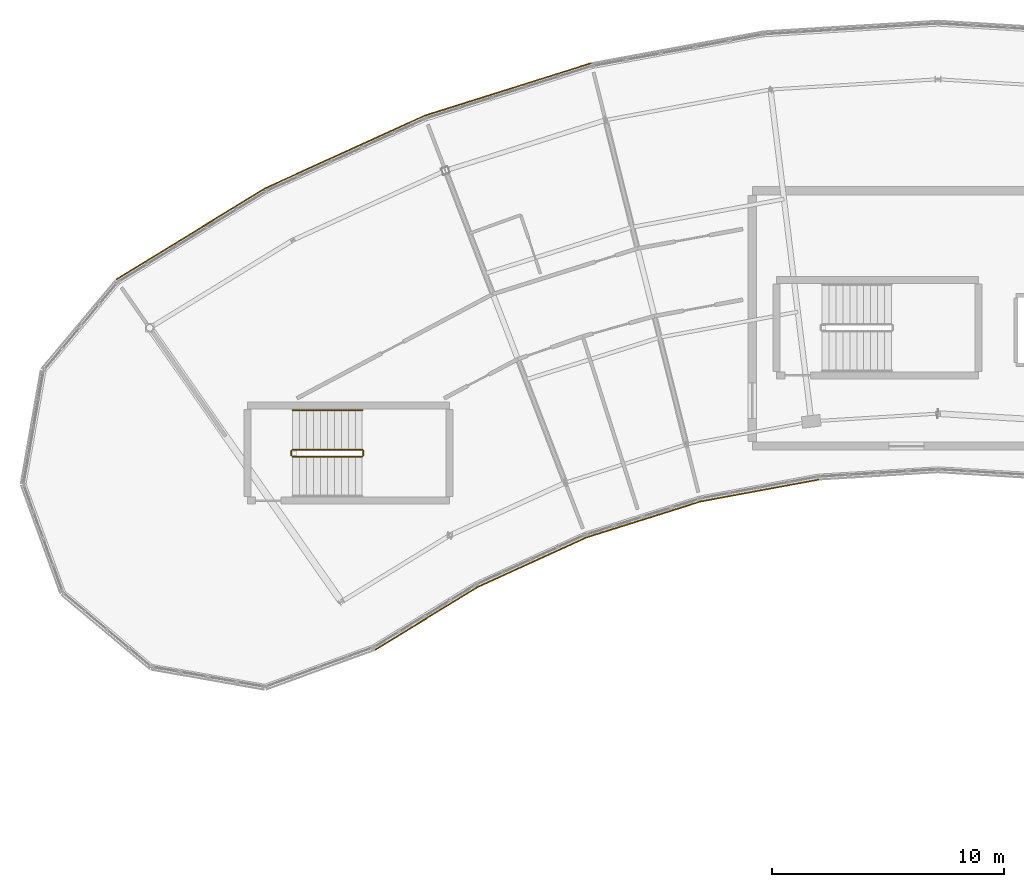
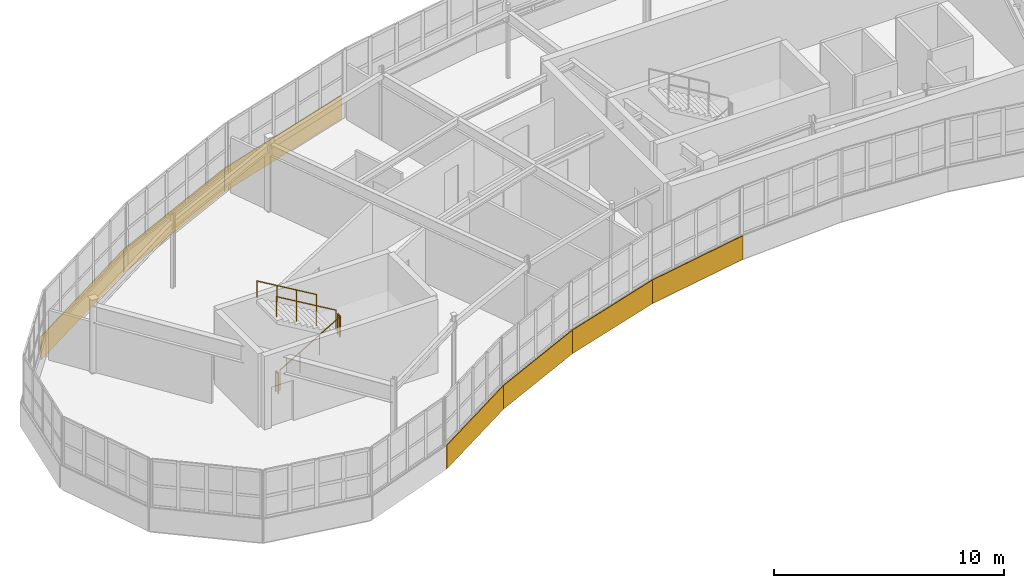
# One storey, part 62 of 65: 7 coverings, 5 railings.
"""IFC4 building model written with IfcOpenShell, lengths in metres."""

from ifc_helpers import new_model, si_unit, direction, frame, origin, origin_2d, place, context, subcontext, project, spatial, rectangle, circle, extrude, material, layer, layer_set, type_object, element, save


model = new_model("IFC4")

# Units and contexts
model_context = context("Model", 3, precision=1e-05, world=origin(), true_north=direction((0.0, 1.0)))
body_context = subcontext(model_context, "Body", "Model", "MODEL_VIEW")
ifc_project = project(units=[si_unit("LENGTHUNIT", "METRE"), si_unit("AREAUNIT", "SQUARE_METRE"), si_unit("VOLUMEUNIT", "CUBIC_METRE"), si_unit("PLANEANGLEUNIT", "RADIAN"), si_unit("MASSUNIT", "GRAM", prefix="KILO")], contexts=[model_context])

# Site, building, storey
site_placement = place(None, origin())
site = spatial("IfcSite", under=ifc_project, at=site_placement, CompositionType="ELEMENT")
building_placement = place(site_placement, origin())
building = spatial("IfcBuilding", under=site, at=building_placement, Name="Tarnwether General Hospital", CompositionType="ELEMENT")
storey_placement = place(building_placement, frame((0.0, 0.0, 22.199951171875)))
storey = spatial("IfcBuildingStorey", under=building, at=storey_placement, Name="L05", CompositionType="ELEMENT", Elevation=22.199951171875)

# Coverings
ifc_material_1 = material(Name="Streamlined white enamelled aluminium", Category="aluminium")
ifc_layer = layer(ifc_material_1, 0.044921875)
ifc_layer_set = layer_set([ifc_layer], Name="Streamlined white enamelled aluminium")
covering_type = type_object("IfcCoveringType", Name="CV-CLD-WHT", PredefinedType="CLADDING", material=ifc_layer_set)
for number, where, z_axis, x_axis, name in (
    (1, (69.9560546875, 98.971923828125, -0.175048828125), (0.0, 0.0, 1.0), (-0.852631044904, -0.522513446015, 0.0), "Streamlined White Horizontal Band NW L05 06"),
    (2, (74.50390625, 101.389892578125, -0.175048828125), (0.0, 0.0, 1.0), (-0.909954032975, -0.414709124413, 0.0), "Streamlined White Horizontal Band NW L05 07"),
):
    element("IfcCovering", number, at=place(storey_placement, frame(where, z_axis=z_axis, x_axis=x_axis)), inside=storey, type_object=covering_type, Name=name, PredefinedType="CLADDING", context=body_context, shape_type="SweptSolid", body=[
        extrude(rectangle(XDim=5.177001953125, YDim=0.044921875, at=origin_2d()), origin(), (0.0, 0.0, 1.0), 1.25),
    ])
covering_1_placement = place(storey_placement, frame((79.31396484375, 103.237060546875, -0.175048828125), z_axis=(0.0, 0.0, 1.0), x_axis=(-0.953711702297, -0.300722444959, 0.0)))
element("IfcCovering", 3, at=covering_1_placement, inside=storey, type_object=covering_type, Name="Streamlined White Horizontal Band NW L05 08", PredefinedType="CLADDING", context=body_context, shape_type="SweptSolid", body=[
    extrude(rectangle(XDim=5.177978515625, YDim=0.044921875, at=origin_2d()), origin(), (0.0, 0.0, 1.0), 1.25),
])
covering_2_placement = place(storey_placement, frame((84.31201171875, 104.48291015625, -0.175048828125), z_axis=(0.0, 0.0, 1.0), x_axis=(-0.983267627608, -0.182166880906, 0.0)))
element("IfcCovering", 4, at=covering_2_placement, inside=storey, type_object=covering_type, Name="Streamlined White Horizontal Band NW L05 09", PredefinedType="CLADDING", context=body_context, shape_type="SweptSolid", body=[
    extrude(rectangle(XDim=5.177001953125, YDim=0.044921875, at=origin_2d()), origin(), (0.0, 0.0, 1.0), 1.25),
])
for number, where, z_axis, x_axis, name in (
    (5, (73.471923828125, 121.764892578125, -0.175048828125), (0.0, 0.0, 1.0), (0.953743188648, 0.300622570855, 0.0), "Streamlined White Horizontal Band NW L05 29"),
    (6, (66.447998046875, 119.070068359375, -0.175048828125), (0.0, 0.0, 1.0), (0.909961270877, 0.414693242656, 0.0), "Streamlined White Horizontal Band NW L05 30"),
    (7, (59.805908203125, 115.5380859375, -0.175048828125), (0.0, 0.0, 1.0), (0.852631044904, 0.522513446015, 0.0), "Streamlined White Horizontal Band NW L05 31"),
):
    element("IfcCovering", number, at=place(storey_placement, frame(where, z_axis=z_axis, x_axis=x_axis)), inside=storey, type_object=covering_type, Name=name, PredefinedType="CLADDING", context=body_context, shape_type="SweptSolid", body=[
        extrude(rectangle(XDim=7.52099609375, YDim=0.044921875, at=origin_2d()), origin(), (0.0, 0.0, 1.0), 1.25),
    ])

# Railings
ifc_material_2 = material(Name="Anodised aluminium", Category="aluminium")
railing_type_1 = type_object("IfcRailingType", Name="RL-GRD-INT", PredefinedType="GUARDRAIL", material=ifc_material_2)
railing_1_placement = place(storey_placement, frame((64.199951171875, 105.949951171875, 0.17724609375)))
element("IfcRailing", 8, at=railing_1_placement, inside=storey, type_object=railing_type_1, Name="L05 ST-07 stair guard 1", PredefinedType="GUARDRAIL", context=body_context, shape_type="SweptSolid", body=[
    extrude(circle(Radius=0.02392578125, at=origin_2d()), frame((0.0, 0.0, 1.076171875), z_axis=(0.86092931783, 0.0, 0.508724591208), x_axis=(0.0, 1.0, 0.0)), (0.0, 0.0, 1.0), 3.484619140625),
    extrude(circle(Radius=0.02099609375, at=origin_2d()), origin(), (0.0, 0.0, 1.0), 1.052001953125),
    extrude(circle(Radius=0.02099609375, at=origin_2d()), frame((1.0, 0.0, 0.5908203125)), (0.0, 0.0, 1.0), 1.052001953125),
    extrude(circle(Radius=0.02099609375, at=origin_2d()), frame((2.0, 0.0, 1.181884765625)), (0.0, 0.0, 1.0), 1.052001953125),
    extrude(circle(Radius=0.02099609375, at=origin_2d()), frame((3.0, 0.0, 1.772705078125)), (0.0, 0.0, 1.0), 1.052001953125),
])
railing_2_placement = place(storey_placement, frame((67.25, 106.0, 1.949951171875)))
element("IfcRailing", 9, at=railing_2_placement, inside=storey, type_object=railing_type_1, Name="L05 ST-07 stair guard 2", PredefinedType="GUARDRAIL", context=body_context, shape_type="SweptSolid", body=[
    extrude(circle(Radius=0.02392578125, at=origin_2d()), frame((0.0, 0.0, 1.076171875), z_axis=(0.0, 1.0, 0.0), x_axis=(-1.0, 0.0, 0.0)), (0.0, 0.0, 1.0), 0.199951171875),
    extrude(circle(Radius=0.02099609375, at=origin_2d()), origin(), (0.0, 0.0, 1.0), 1.052001953125),
    extrude(circle(Radius=0.02099609375, at=origin_2d()), frame((0.0, 0.199951171875, 0.0)), (0.0, 0.0, 1.0), 1.052001953125),
])
railing_3_placement = place(storey_placement, frame((67.199951171875, 106.25, 2.12744140625)))
element("IfcRailing", 10, at=railing_3_placement, inside=storey, type_object=railing_type_1, Name="L05 ST-07 stair guard 3", PredefinedType="GUARDRAIL", context=body_context, shape_type="SweptSolid", body=[
    extrude(circle(Radius=0.02392578125, at=origin_2d()), frame((0.0, 0.0, 1.076171875), z_axis=(-0.86092931783, 0.0, 0.508724591208), x_axis=(0.0, -1.0, 0.0)), (0.0, 0.0, 1.0), 3.484619140625),
    extrude(circle(Radius=0.02099609375, at=origin_2d()), origin(), (0.0, 0.0, 1.0), 1.052001953125),
    extrude(circle(Radius=0.02099609375, at=origin_2d()), frame((-1.0, 0.0, 0.5908203125)), (0.0, 0.0, 1.0), 1.052001953125),
    extrude(circle(Radius=0.02099609375, at=origin_2d()), frame((-2.0, 0.0, 1.181884765625)), (0.0, 0.0, 1.0), 1.052001953125),
    extrude(circle(Radius=0.02099609375, at=origin_2d()), frame((-3.0, 0.0, 1.772705078125)), (0.0, 0.0, 1.0), 1.052001953125),
])
railing_4_placement = place(storey_placement, frame((64.14990234375, 106.0, 0.0)))
element("IfcRailing", 11, at=railing_4_placement, inside=storey, type_object=railing_type_1, Name="L05 ST-07 stair guard 4", PredefinedType="GUARDRAIL", context=body_context, shape_type="SweptSolid", body=[
    extrude(circle(Radius=0.02392578125, at=origin_2d()), frame((0.0, 0.0, 1.076171875), z_axis=(0.0, 1.0, 0.0), x_axis=(-1.0, 0.0, 0.0)), (0.0, 0.0, 1.0), 0.199951171875),
    extrude(circle(Radius=0.02099609375, at=origin_2d()), origin(), (0.0, 0.0, 1.0), 1.052001953125),
    extrude(circle(Radius=0.02099609375, at=origin_2d()), frame((0.0, 0.199951171875, 0.0)), (0.0, 0.0, 1.0), 1.052001953125),
])
ifc_material_3 = material(Name="Anodised aluminium", Category="aluminium")
railing_type_2 = type_object("IfcRailingType", Name="RL-HND-INT", PredefinedType="HANDRAIL", material=ifc_material_3)
railing_5_placement = place(storey_placement, frame((67.199951171875, 107.949951171875, 2.12744140625)))
element("IfcRailing", 12, at=railing_5_placement, inside=storey, type_object=railing_type_2, Name="L05 ST-07 stair handrail 2", PredefinedType="HANDRAIL", context=body_context, shape_type="SweptSolid", body=[
    extrude(circle(Radius=0.02392578125, at=origin_2d()), frame((0.0, 0.0, 0.8759765625), z_axis=(-0.86092931783, 0.0, 0.508724591208), x_axis=(0.0, -1.0, 0.0)), (0.0, 0.0, 1.0), 3.484619140625),
    extrude(circle(Radius=0.02099609375, at=origin_2d()), origin(), (0.0, 0.0, 1.0), 0.851806640625),
    extrude(circle(Radius=0.02099609375, at=origin_2d()), frame((-1.0, 0.0, 0.5908203125)), (0.0, 0.0, 1.0), 0.851806640625),
    extrude(circle(Radius=0.02099609375, at=origin_2d()), frame((-2.0, 0.0, 1.181884765625)), (0.0, 0.0, 1.0), 0.851806640625),
    extrude(circle(Radius=0.02099609375, at=origin_2d()), frame((-3.0, 0.0, 1.772705078125)), (0.0, 0.0, 1.0), 0.851806640625),
])

save(model, "model.ifc")
